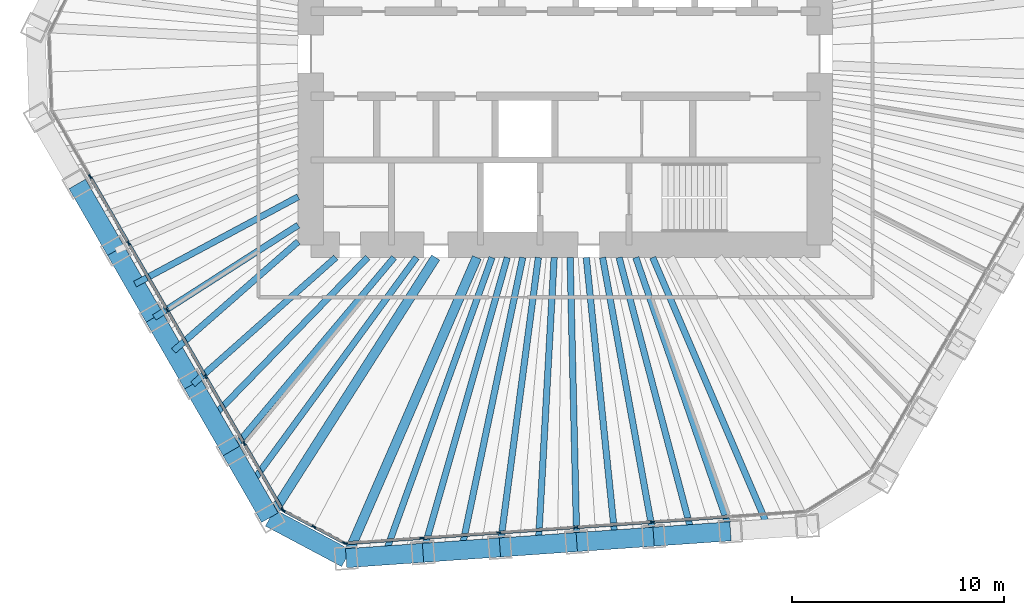
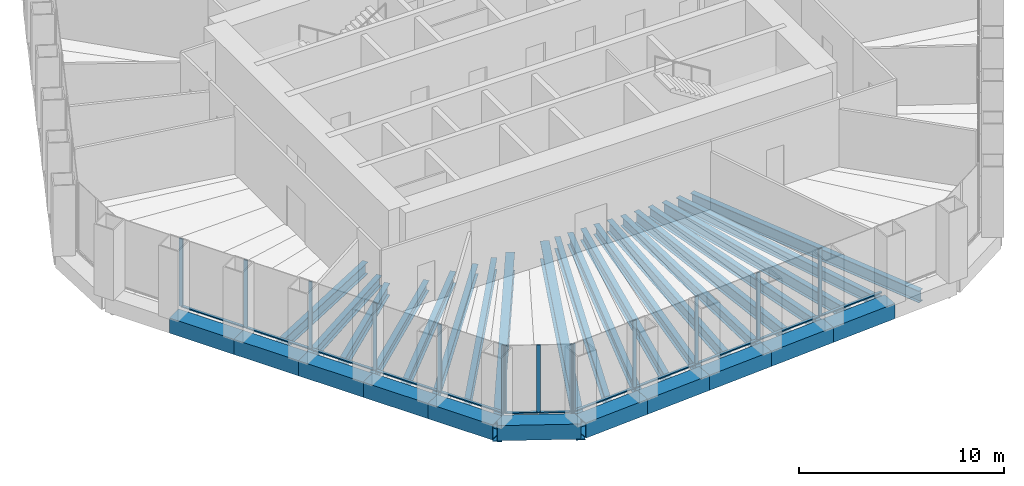
# One storey, part 2 of 13: 31 beams, 26 members, 3 elements without a shape of their own.
"""IFC4 building model written with IfcOpenShell, lengths in metres."""

from ifc_helpers import new_model, si_unit, direction, frame, origin, origin_2d, place, context, subcontext, project, spatial, rectangle, hollow_rectangle, i_section, extrude, material, material_profile, profile_set, type_object, element, aggregate, save


model = new_model("IFC4")

# Units and contexts
model_context = context("Model", 3, precision=1e-05, world=origin(), true_north=direction((0.0, 1.0)))
body_context = subcontext(model_context, "Body", "Model", "MODEL_VIEW")
ifc_project = project(units=[si_unit("LENGTHUNIT", "METRE"), si_unit("AREAUNIT", "SQUARE_METRE"), si_unit("VOLUMEUNIT", "CUBIC_METRE"), si_unit("PLANEANGLEUNIT", "RADIAN"), si_unit("MASSUNIT", "GRAM", prefix="KILO")], contexts=[model_context])

# Site, building, storey
site_placement = place(None, origin())
site = spatial("IfcSite", under=ifc_project, at=site_placement, CompositionType="ELEMENT")
building_placement = place(site_placement, origin())
building = spatial("IfcBuilding", under=site, at=building_placement, Name="Qingtian Harvest Tower", CompositionType="ELEMENT")
storey_placement = place(building_placement, frame((0.0, 0.0, 193.0)))
storey = spatial("IfcBuildingStorey", under=building, at=storey_placement, Name="L41", CompositionType="ELEMENT", Elevation=193.0)

# Beams
ifc_material_1 = material(Name="Steel SM570MC", Category="steel")
ifc_material_profile_1 = material_profile(ifc_material_1, i_section(OverallWidth=0.449951171875, OverallDepth=1.10009765625, WebThickness=0.02197265625, FlangeThickness=0.044921875, at=origin_2d()), Name="H1100x450x22x45")
ifc_profile_set_1 = profile_set([ifc_material_profile_1], Name="Steel SM570MC")
beam_type_1 = type_object("IfcBeamType", Name="Corner floor beam FB8 H1100x450x22x45", PredefinedType="BEAM", material=ifc_profile_set_1)
beam_1_placement = place(storey_placement, frame((-10.33837890625, -23.779052734375, -0.719970703125), z_axis=(0.398714563353, 0.917075077063, 0.0), x_axis=(-0.917075077063, 0.398714563353, 0.0)))
element("IfcBeam", 1, at=beam_1_placement, inside=storey, type_object=beam_type_1, Name="Floor beam FB8 S6", PredefinedType="BEAM", context=body_context, shape_type="SweptSolid", body=[
    extrude(i_section(OverallWidth=0.449951171875, OverallDepth=1.10009765625, WebThickness=0.02197265625, FlangeThickness=0.044921875, at=origin_2d()), origin(), (0.0, 0.0, 1.0), 15.461181640625),
])
beam_2_placement = place(storey_placement, frame((-13.9326171875, -21.8681640625, -0.719970703125), z_axis=(0.537326103898, 0.8433745657, 0.0), x_axis=(-0.8433745657, 0.537326103898, 0.0)))
element("IfcBeam", 2, at=beam_2_placement, inside=storey, type_object=beam_type_1, Name="Floor beam FB8 SW0", PredefinedType="BEAM", context=body_context, shape_type="SweptSolid", body=[
    extrude(i_section(OverallWidth=0.449951171875, OverallDepth=1.10009765625, WebThickness=0.02197265625, FlangeThickness=0.044921875, at=origin_2d()), origin(), (0.0, 0.0, 1.0), 14.54638671875),
])
ifc_material_2 = material(Name="Steel SN490B", Category="steel")
ifc_material_profile_2 = material_profile(ifc_material_2, i_section(OverallWidth=0.300048828125, OverallDepth=0.699951171875, WebThickness=0.012939453125, FlangeThickness=0.02392578125, at=origin_2d()), Name="H700x300x13x24")
ifc_profile_set_2 = profile_set([ifc_material_profile_2], Name="Steel SN490B")
beam_type_2 = type_object("IfcBeamType", Name="Floor beam FB2 H700x300x13x24", PredefinedType="BEAM", material=ifc_profile_set_2)
beam_3_placement = place(storey_placement, frame((-6.713623046875, -23.525634765625, -0.52001953125), z_axis=(0.274411610503, 0.961612327303, 0.0), x_axis=(-0.961612327303, 0.274411610503, 0.0)))
element("IfcBeam", 3, at=beam_3_placement, inside=storey, type_object=beam_type_2, Name="Floor beam FB2 S5", PredefinedType="BEAM", context=body_context, shape_type="SweptSolid", body=[
    extrude(i_section(OverallWidth=0.300048828125, OverallDepth=0.699951171875, WebThickness=0.012939453125, FlangeThickness=0.02392578125, at=origin_2d()), origin(), (0.0, 0.0, 1.0), 14.4814453125),
])
ifc_material_3 = material(Name="Steel SN490B", Category="steel")
ifc_material_profile_3 = material_profile(ifc_material_3, i_section(OverallWidth=0.300048828125, OverallDepth=0.60009765625, WebThickness=0.011962890625, FlangeThickness=0.02001953125, at=origin_2d()), Name="H600x300x12x20")
ifc_profile_set_3 = profile_set([ifc_material_profile_3], Name="Steel SN490B")
beam_type_3 = type_object("IfcBeamType", Name="Floor beam FB3 H600x300x12x20", PredefinedType="BEAM", material=ifc_profile_set_3)
beam_4_placement = place(storey_placement, frame((7.78515625, -22.51171875, -0.469970703125), z_axis=(-0.326844175409, 0.945078242793, 0.0), x_axis=(-0.945078242793, -0.326844175409, 0.0)))
element("IfcBeam", 4, at=beam_4_placement, inside=storey, type_object=beam_type_3, Name="Floor beam FB3 S1", PredefinedType="BEAM", context=body_context, shape_type="SweptSolid", body=[
    extrude(i_section(OverallWidth=0.300048828125, OverallDepth=0.60009765625, WebThickness=0.011962890625, FlangeThickness=0.02001953125, at=origin_2d()), origin(), (0.0, 0.0, 1.0), 13.661865234375),
])
beam_5_placement = place(storey_placement, frame((4.160400390625, -22.76513671875, -0.469970703125), z_axis=(-0.179779537209, 0.983706926885, 0.0), x_axis=(-0.983706926885, -0.179779537209, 0.0)))
element("IfcBeam", 5, at=beam_5_placement, inside=storey, type_object=beam_type_3, Name="Floor beam FB3 S2", PredefinedType="BEAM", context=body_context, shape_type="SweptSolid", body=[
    extrude(i_section(OverallWidth=0.300048828125, OverallDepth=0.60009765625, WebThickness=0.011962890625, FlangeThickness=0.02001953125, at=origin_2d()), origin(), (0.0, 0.0, 1.0), 13.383056640625),
])
beam_6_placement = place(storey_placement, frame((0.53564453125, -23.018798828125, -0.469970703125), z_axis=(-0.023263902078, 0.999729358807, 0.0), x_axis=(-0.999729358807, -0.023263902078, 0.0)))
element("IfcBeam", 6, at=beam_6_placement, inside=storey, type_object=beam_type_3, Name="Floor beam FB3 S3", PredefinedType="BEAM", context=body_context, shape_type="SweptSolid", body=[
    extrude(i_section(OverallWidth=0.300048828125, OverallDepth=0.60009765625, WebThickness=0.011962890625, FlangeThickness=0.02001953125, at=origin_2d()), origin(), (0.0, 0.0, 1.0), 13.42236328125),
])
beam_7_placement = place(storey_placement, frame((-3.089111328125, -23.272216796875, -0.469970703125), z_axis=(0.131593229442, 0.991303799027, 0.0), x_axis=(-0.991303799027, 0.131593229442, 0.0)))
element("IfcBeam", 7, at=beam_7_placement, inside=storey, type_object=beam_type_3, Name="Floor beam FB3 S4", PredefinedType="BEAM", context=body_context, shape_type="SweptSolid", body=[
    extrude(i_section(OverallWidth=0.300048828125, OverallDepth=0.60009765625, WebThickness=0.011962890625, FlangeThickness=0.02001953125, at=origin_2d()), origin(), (0.0, 0.0, 1.0), 13.7919921875),
])
beam_8_placement = place(storey_placement, frame((-15.749267578125, -18.72119140625, -0.469970703125), z_axis=(0.643763532906, 0.765224485821, 0.0), x_axis=(-0.765224485821, 0.643763532906, 0.0)))
element("IfcBeam", 8, at=beam_8_placement, inside=storey, type_object=beam_type_3, Name="Floor beam FB3 SW1", PredefinedType="BEAM", context=body_context, shape_type="SweptSolid", body=[
    extrude(i_section(OverallWidth=0.300048828125, OverallDepth=0.60009765625, WebThickness=0.011962890625, FlangeThickness=0.02001953125, at=origin_2d()), origin(), (0.0, 0.0, 1.0), 11.91943359375),
])
beam_9_placement = place(storey_placement, frame((-17.566162109375, -15.574462890625, -0.469970703125), z_axis=(0.748259768664, 0.663405847577, 0.0), x_axis=(-0.663405847577, 0.748259768664, 0.0)))
element("IfcBeam", 9, at=beam_9_placement, inside=storey, type_object=beam_type_3, Name="Floor beam FB3 SW2", PredefinedType="BEAM", context=body_context, shape_type="SweptSolid", body=[
    extrude(i_section(OverallWidth=0.300048828125, OverallDepth=0.60009765625, WebThickness=0.011962890625, FlangeThickness=0.02001953125, at=origin_2d()), origin(), (0.0, 0.0, 1.0), 9.005615234375),
])
beam_10_placement = place(storey_placement, frame((-19.3828125, -12.427734375, -0.469970703125), z_axis=(0.841823714388, 0.539752567288, 0.0), x_axis=(-0.539752567288, 0.841823714388, 0.0)))
element("IfcBeam", 10, at=beam_10_placement, inside=storey, type_object=beam_type_3, Name="Floor beam FB3 SW3", PredefinedType="BEAM", context=body_context, shape_type="SweptSolid", body=[
    extrude(i_section(OverallWidth=0.300048828125, OverallDepth=0.60009765625, WebThickness=0.011962890625, FlangeThickness=0.02001953125, at=origin_2d()), origin(), (0.0, 0.0, 1.0), 8.05712890625),
])
ifc_material_4 = material(Name="Steel SN490B", Category="steel")
ifc_material_profile_4 = material_profile(ifc_material_4, i_section(OverallWidth=0.300048828125, OverallDepth=0.699951171875, WebThickness=0.012939453125, FlangeThickness=0.02392578125, at=origin_2d()), Name="H700x300x13x24")
ifc_profile_set_4 = profile_set([ifc_material_profile_4], Name="Steel SN490B")
beam_type_4 = type_object("IfcBeamType", Name="Floor joist J2 H700x300x13x24", PredefinedType="JOIST", material=ifc_profile_set_4)
beam_11_placement = place(storey_placement, frame((9.597412109375, -22.385009765625, -0.52001953125), z_axis=(-0.394052741766, 0.919087828614, 0.0), x_axis=(-0.919087828614, -0.394052741766, 0.0)))
element("IfcBeam", 11, at=beam_11_placement, inside=storey, type_object=beam_type_4, Name="Floor joist J2 S0", PredefinedType="JOIST", context=body_context, shape_type="SweptSolid", body=[
    extrude(i_section(OverallWidth=0.300048828125, OverallDepth=0.699951171875, WebThickness=0.012939453125, FlangeThickness=0.02392578125, at=origin_2d()), origin(), (0.0, 0.0, 1.0), 13.910400390625),
])
beam_12_placement = place(storey_placement, frame((5.97265625, -22.638427734375, -0.52001953125), z_axis=(-0.255103716232, 0.9669136952, 0.0), x_axis=(-0.9669136952, -0.255103716232, 0.0)))
element("IfcBeam", 12, at=beam_12_placement, inside=storey, type_object=beam_type_4, Name="Floor joist J2 S1", PredefinedType="JOIST", context=body_context, shape_type="SweptSolid", body=[
    extrude(i_section(OverallWidth=0.300048828125, OverallDepth=0.699951171875, WebThickness=0.012939453125, FlangeThickness=0.02392578125, at=origin_2d()), origin(), (0.0, 0.0, 1.0), 13.484375),
])
beam_13_placement = place(storey_placement, frame((2.347900390625, -22.89208984375, -0.52001953125), z_axis=(-0.102028865499, 0.994781438611, 0.0), x_axis=(-0.994781438611, -0.102028865499, 0.0)))
element("IfcBeam", 13, at=beam_13_placement, inside=storey, type_object=beam_type_4, Name="Floor joist J2 S2", PredefinedType="JOIST", context=body_context, shape_type="SweptSolid", body=[
    extrude(i_section(OverallWidth=0.300048828125, OverallDepth=0.699951171875, WebThickness=0.012939453125, FlangeThickness=0.02392578125, at=origin_2d()), origin(), (0.0, 0.0, 1.0), 13.36181640625),
])
beam_14_placement = place(storey_placement, frame((-1.276611328125, -23.1455078125, -0.52001953125), z_axis=(0.055069329716, 0.998482533109, 0.0), x_axis=(-0.998482533109, 0.055069329716, 0.0)))
element("IfcBeam", 14, at=beam_14_placement, inside=storey, type_object=beam_type_4, Name="Floor joist J2 S3", PredefinedType="JOIST", context=body_context, shape_type="SweptSolid", body=[
    extrude(i_section(OverallWidth=0.300048828125, OverallDepth=0.699951171875, WebThickness=0.012939453125, FlangeThickness=0.02392578125, at=origin_2d()), origin(), (0.0, 0.0, 1.0), 13.56591796875),
])
beam_15_placement = place(storey_placement, frame((-4.9013671875, -23.39892578125, -0.52001953125), z_axis=(0.205016322093, 0.978758554331, 0.0), x_axis=(-0.978758554331, 0.205016322093, 0.0)))
element("IfcBeam", 15, at=beam_15_placement, inside=storey, type_object=beam_type_4, Name="Floor joist J2 S4", PredefinedType="JOIST", context=body_context, shape_type="SweptSolid", body=[
    extrude(i_section(OverallWidth=0.300048828125, OverallDepth=0.699951171875, WebThickness=0.012939453125, FlangeThickness=0.02392578125, at=origin_2d()), origin(), (0.0, 0.0, 1.0), 14.098388671875),
])
beam_16_placement = place(storey_placement, frame((-8.526123046875, -23.65234375, -0.52001953125), z_axis=(0.339126305921, 0.940740850943, 0.0), x_axis=(-0.940740850943, 0.339126305921, 0.0)))
element("IfcBeam", 16, at=beam_16_placement, inside=storey, type_object=beam_type_4, Name="Floor joist J2 S5", PredefinedType="JOIST", context=body_context, shape_type="SweptSolid", body=[
    extrude(i_section(OverallWidth=0.300048828125, OverallDepth=0.699951171875, WebThickness=0.012939453125, FlangeThickness=0.02392578125, at=origin_2d()), origin(), (0.0, 0.0, 1.0), 14.9375),
])
beam_17_placement = place(storey_placement, frame((-14.841064453125, -20.294677734375, -0.52001953125), z_axis=(0.590288677526, 0.807192218238, 0.0), x_axis=(-0.807192218238, 0.590288677526, 0.0)))
element("IfcBeam", 17, at=beam_17_placement, inside=storey, type_object=beam_type_4, Name="Floor joist J2 SW0", PredefinedType="JOIST", context=body_context, shape_type="SweptSolid", body=[
    extrude(i_section(OverallWidth=0.300048828125, OverallDepth=0.699951171875, WebThickness=0.012939453125, FlangeThickness=0.02392578125, at=origin_2d()), origin(), (0.0, 0.0, 1.0), 13.2490234375),
])
beam_18_placement = place(storey_placement, frame((-16.65771484375, -17.14794921875, -0.52001953125), z_axis=(0.696777499009, 0.717287332158, 0.0), x_axis=(-0.717287332158, 0.696777499009, 0.0)))
element("IfcBeam", 18, at=beam_18_placement, inside=storey, type_object=beam_type_4, Name="Floor joist J2 SW1", PredefinedType="JOIST", context=body_context, shape_type="SweptSolid", body=[
    extrude(i_section(OverallWidth=0.300048828125, OverallDepth=0.699951171875, WebThickness=0.012939453125, FlangeThickness=0.02392578125, at=origin_2d()), origin(), (0.0, 0.0, 1.0), 10.522705078125),
])
beam_19_placement = place(storey_placement, frame((-18.474609375, -14.001220703125, -0.52001953125), z_axis=(0.751883296969, 0.659296221542, 0.0), x_axis=(-0.659296221542, 0.751883296969, 0.0)))
element("IfcBeam", 19, at=beam_19_placement, inside=storey, type_object=beam_type_4, Name="Floor joist J2 SW2", PredefinedType="JOIST", context=body_context, shape_type="SweptSolid", body=[
    extrude(i_section(OverallWidth=0.300048828125, OverallDepth=0.699951171875, WebThickness=0.012939453125, FlangeThickness=0.02392578125, at=origin_2d()), origin(), (0.0, 0.0, 1.0), 7.81298828125),
])
beam_20_placement = place(storey_placement, frame((-20.291259765625, -10.8544921875, -0.52001953125), z_axis=(0.881766503154, 0.471686160402, 0.0), x_axis=(-0.471686160402, 0.881766503154, 0.0)))
element("IfcBeam", 20, at=beam_20_placement, inside=storey, type_object=beam_type_4, Name="Floor joist J2 SW3", PredefinedType="JOIST", context=body_context, shape_type="SweptSolid", body=[
    extrude(i_section(OverallWidth=0.300048828125, OverallDepth=0.699951171875, WebThickness=0.012939453125, FlangeThickness=0.02392578125, at=origin_2d()), origin(), (0.0, 0.0, 1.0), 8.722412109375),
])

# Curtain wall, members
ifc_material_5 = material(Name="Bronze-anodised aluminium curtain wall", Category="aluminium")
curtain_wall_type = type_object("IfcCurtainWallType", Name="Curtain wall CW4 office", PredefinedType="USERDEFINED", material=ifc_material_5)
curtain_wall_1_placement = place(storey_placement, origin())
curtain_wall_1 = element("IfcCurtainWall", 21, at=curtain_wall_1_placement, inside=storey, type_object=curtain_wall_type, Name="Curtain wall CW4 L41 S0-5", ObjectType="RECESSED CURTAIN WALL", PredefinedType="USERDEFINED")
ifc_material_6 = material(Name="Bronze-anodised aluminium mullion", Category="aluminium")
ifc_material_profile_5 = material_profile(ifc_material_6, rectangle(XDim=0.06494140625, YDim=0.199951171875, at=origin_2d()), Name="AL 65x200")
ifc_profile_set_5 = profile_set([ifc_material_profile_5], Name="Bronze-anodised aluminium mullion")
member_type_1 = type_object("IfcMemberType", Name="Mullion CWM 65x200", PredefinedType="MULLION", material=ifc_profile_set_5)
member_1_placement = place(storey_placement, frame((4.111572265625, -22.06689453125, 0.0), z_axis=(0.0, 0.0, 1.0), x_axis=(0.069756473744, -0.99756405026, 0.0)))
member_1 = element("IfcMember", 22, at=member_1_placement, type_object=member_type_1, Name="CW4 mullion 3", PredefinedType="MULLION", context=body_context, shape_type="SweptSolid", body=[
    extrude(rectangle(XDim=0.06494140625, YDim=0.199951171875, at=origin_2d()), origin(), (0.0, 0.0, 1.0), 4.030029296875),
])
member_2_placement = place(storey_placement, frame((0.48681640625, -22.3203125, 0.0), z_axis=(0.0, 0.0, 1.0), x_axis=(0.069756473744, -0.99756405026, 0.0)))
member_2 = element("IfcMember", 23, at=member_2_placement, type_object=member_type_1, Name="CW4 mullion 4", PredefinedType="MULLION", context=body_context, shape_type="SweptSolid", body=[
    extrude(rectangle(XDim=0.06494140625, YDim=0.199951171875, at=origin_2d()), origin(), (0.0, 0.0, 1.0), 4.030029296875),
])
member_3_placement = place(storey_placement, frame((-3.137939453125, -22.573974609375, 0.0), z_axis=(0.0, 0.0, 1.0), x_axis=(0.069756473744, -0.99756405026, 0.0)))
member_3 = element("IfcMember", 24, at=member_3_placement, type_object=member_type_1, Name="CW4 mullion 5", PredefinedType="MULLION", context=body_context, shape_type="SweptSolid", body=[
    extrude(rectangle(XDim=0.06494140625, YDim=0.199951171875, at=origin_2d()), origin(), (0.0, 0.0, 1.0), 4.030029296875),
])
member_4_placement = place(storey_placement, frame((-6.762451171875, -22.827392578125, 0.0), z_axis=(0.0, 0.0, 1.0), x_axis=(0.069756473744, -0.99756405026, 0.0)))
member_4 = element("IfcMember", 25, at=member_4_placement, type_object=member_type_1, Name="CW4 mullion 6", PredefinedType="MULLION", context=body_context, shape_type="SweptSolid", body=[
    extrude(rectangle(XDim=0.06494140625, YDim=0.199951171875, at=origin_2d()), origin(), (0.0, 0.0, 1.0), 4.030029296875),
])
member_5_placement = place(storey_placement, frame((-10.354736328125, -23.07861328125, 0.0), z_axis=(0.0, 0.0, 1.0), x_axis=(0.069756473744, -0.99756405026, 0.0)))
member_5 = element("IfcMember", 26, at=member_5_placement, type_object=member_type_1, Name="CW4 mullion 7", PredefinedType="MULLION", context=body_context, shape_type="SweptSolid", body=[
    extrude(rectangle(XDim=0.06494140625, YDim=0.199951171875, at=origin_2d()), origin(), (0.0, 0.0, 1.0), 4.030029296875),
])

curtain_wall_2_placement = place(storey_placement, origin())
curtain_wall_2 = element("IfcCurtainWall", 27, at=curtain_wall_2_placement, inside=storey, type_object=curtain_wall_type, Name="Curtain wall CW4 L41 SC", ObjectType="RECESSED CURTAIN WALL", PredefinedType="USERDEFINED")
member_6_placement = place(storey_placement, frame((-10.416015625, -23.0654296875, 0.0), z_axis=(0.0, 0.0, 1.0), x_axis=(-0.469471562786, -0.882947592859, 0.0)))
member_6 = element("IfcMember", 28, at=member_6_placement, type_object=member_type_1, Name="CW4 mullion 1", PredefinedType="MULLION", context=body_context, shape_type="SweptSolid", body=[
    extrude(rectangle(XDim=0.06494140625, YDim=0.199951171875, at=origin_2d()), origin(), (0.0, 0.0, 1.0), 4.030029296875),
])
member_7_placement = place(storey_placement, frame((-11.85693359375, -22.29931640625, 0.0), z_axis=(0.0, 0.0, 1.0), x_axis=(-0.469471562786, -0.882947592859, 0.0)))
member_7 = element("IfcMember", 29, at=member_7_placement, type_object=member_type_1, Name="CW4 mullion 2", PredefinedType="MULLION", context=body_context, shape_type="SweptSolid", body=[
    extrude(rectangle(XDim=0.06494140625, YDim=0.199951171875, at=origin_2d()), origin(), (0.0, 0.0, 1.0), 4.030029296875),
])
member_8_placement = place(storey_placement, frame((-13.297607421875, -21.533203125, 0.0), z_axis=(0.0, 0.0, 1.0), x_axis=(-0.469471562786, -0.882947592859, 0.0)))
member_8 = element("IfcMember", 30, at=member_8_placement, type_object=member_type_1, Name="CW4 mullion 3", PredefinedType="MULLION", context=body_context, shape_type="SweptSolid", body=[
    extrude(rectangle(XDim=0.06494140625, YDim=0.199951171875, at=origin_2d()), origin(), (0.0, 0.0, 1.0), 4.030029296875),
])

curtain_wall_3_placement = place(storey_placement, origin())
curtain_wall_3 = element("IfcCurtainWall", 31, at=curtain_wall_3_placement, inside=storey, type_object=curtain_wall_type, Name="Curtain wall CW4 L41 SW0-5", ObjectType="RECESSED CURTAIN WALL", PredefinedType="USERDEFINED")
member_9_placement = place(storey_placement, frame((-13.342529296875, -21.489990234375, 0.0), z_axis=(0.0, 0.0, 1.0), x_axis=(-0.866025403784, -0.5, 0.0)))
member_9 = element("IfcMember", 32, at=member_9_placement, type_object=member_type_1, Name="CW4 mullion 1", PredefinedType="MULLION", context=body_context, shape_type="SweptSolid", body=[
    extrude(rectangle(XDim=0.06494140625, YDim=0.199951171875, at=origin_2d()), origin(), (0.0, 0.0, 1.0), 4.030029296875),
])
member_10_placement = place(storey_placement, frame((-15.14306640625, -18.371337890625, 0.0), z_axis=(0.0, 0.0, 1.0), x_axis=(-0.866025403784, -0.5, 0.0)))
member_10 = element("IfcMember", 33, at=member_10_placement, type_object=member_type_1, Name="CW4 mullion 2", PredefinedType="MULLION", context=body_context, shape_type="SweptSolid", body=[
    extrude(rectangle(XDim=0.06494140625, YDim=0.199951171875, at=origin_2d()), origin(), (0.0, 0.0, 1.0), 4.030029296875),
])
member_11_placement = place(storey_placement, frame((-16.9599609375, -15.224609375, 0.0), z_axis=(0.0, 0.0, 1.0), x_axis=(-0.866025403784, -0.5, 0.0)))
member_11 = element("IfcMember", 34, at=member_11_placement, type_object=member_type_1, Name="CW4 mullion 3", PredefinedType="MULLION", context=body_context, shape_type="SweptSolid", body=[
    extrude(rectangle(XDim=0.06494140625, YDim=0.199951171875, at=origin_2d()), origin(), (0.0, 0.0, 1.0), 4.030029296875),
])
member_12_placement = place(storey_placement, frame((-18.776611328125, -12.077880859375, 0.0), z_axis=(0.0, 0.0, 1.0), x_axis=(-0.866025403784, -0.5, 0.0)))
member_12 = element("IfcMember", 35, at=member_12_placement, type_object=member_type_1, Name="CW4 mullion 4", PredefinedType="MULLION", context=body_context, shape_type="SweptSolid", body=[
    extrude(rectangle(XDim=0.06494140625, YDim=0.199951171875, at=origin_2d()), origin(), (0.0, 0.0, 1.0), 4.030029296875),
])
member_13_placement = place(storey_placement, frame((-20.593505859375, -8.93115234375, 0.0), z_axis=(0.0, 0.0, 1.0), x_axis=(-0.866025403784, -0.5, 0.0)))
member_13 = element("IfcMember", 36, at=member_13_placement, type_object=member_type_1, Name="CW4 mullion 5", PredefinedType="MULLION", context=body_context, shape_type="SweptSolid", body=[
    extrude(rectangle(XDim=0.06494140625, YDim=0.199951171875, at=origin_2d()), origin(), (0.0, 0.0, 1.0), 4.030029296875),
])
member_14_placement = place(storey_placement, frame((-22.41015625, -5.784423828125, 0.0), z_axis=(0.0, 0.0, 1.0), x_axis=(-0.866025403784, -0.5, 0.0)))
member_14 = element("IfcMember", 37, at=member_14_placement, type_object=member_type_1, Name="CW4 mullion 6", PredefinedType="MULLION", context=body_context, shape_type="SweptSolid", body=[
    extrude(rectangle(XDim=0.06494140625, YDim=0.199951171875, at=origin_2d()), origin(), (0.0, 0.0, 1.0), 4.030029296875),
])

# Beams
ifc_material_7 = material(Name="Steel SM570MC", Category="steel")
ifc_material_profile_6 = material_profile(ifc_material_7, hollow_rectangle(XDim=0.89990234375, YDim=0.89990234375, WallThickness=0.050048828125, at=origin_2d()), Name="BOX900x900x50")
ifc_profile_set_6 = profile_set([ifc_material_profile_6], Name="Steel SM570MC")
beam_type_5 = type_object("IfcBeamType", Name="Transition spandrel SB6 BOX900x900x50", PredefinedType="SPANDREL", material=ifc_profile_set_6)
for number, where, z_axis, x_axis, name in (
    (38, (7.78515625, -22.51171875, -0.449951171875), (-0.997565001055, -0.069742875402, 0.0), (0.069742875402, -0.997565001055, 0.0), "Spandrel SB6 S1"),
    (39, (4.160400390625, -22.76513671875, -0.449951171875), (-0.997560324246, -0.069809737785, 0.0), (0.069809737785, -0.997560324246, 0.0), "Spandrel SB6 S2"),
    (40, (0.53564453125, -23.018798828125, -0.449951171875), (-0.997565001055, -0.069742875402, 0.0), (0.069742875402, -0.997565001055, 0.0), "Spandrel SB6 S3"),
):
    element("IfcBeam", number, at=place(storey_placement, frame(where, z_axis=z_axis, x_axis=x_axis)), inside=storey, type_object=beam_type_5, Name=name, PredefinedType="SPANDREL", context=body_context, shape_type="SweptSolid", body=[
        extrude(hollow_rectangle(XDim=0.89990234375, YDim=0.89990234375, WallThickness=0.050048828125, at=origin_2d()), origin(), (0.0, 0.0, 1.0), 3.633544921875),
    ])
beam_21_placement = place(storey_placement, frame((-3.089111328125, -23.272216796875, -0.449951171875), z_axis=(-0.997564674207, -0.069747550305, 0.0), x_axis=(0.069747550305, -0.997564674207, 0.0)))
element("IfcBeam", 41, at=beam_21_placement, inside=storey, type_object=beam_type_5, Name="Spandrel SB6 S4", PredefinedType="SPANDREL", context=body_context, shape_type="SweptSolid", body=[
    extrude(hollow_rectangle(XDim=0.89990234375, YDim=0.89990234375, WallThickness=0.050048828125, at=origin_2d()), origin(), (0.0, 0.0, 1.0), 3.63330078125),
])
beam_22_placement = place(storey_placement, frame((-6.713623046875, -23.525634765625, -0.449951171875), z_axis=(-0.997565001055, -0.069742875402, 0.0), x_axis=(0.069742875402, -0.997565001055, 0.0)))
element("IfcBeam", 42, at=beam_22_placement, inside=storey, type_object=beam_type_5, Name="Spandrel SB6 S5", PredefinedType="SPANDREL", context=body_context, shape_type="SweptSolid", body=[
    extrude(hollow_rectangle(XDim=0.89990234375, YDim=0.89990234375, WallThickness=0.050048828125, at=origin_2d()), origin(), (0.0, 0.0, 1.0), 3.633544921875),
])
beam_23_placement = place(storey_placement, frame((-10.33837890625, -23.779052734375, -0.449951171875), z_axis=(-0.882968133669, 0.469432929101, 0.0), x_axis=(-0.469432929101, -0.882968133669, 0.0)))
element("IfcBeam", 43, at=beam_23_placement, inside=storey, type_object=beam_type_5, Name="Spandrel SB6 SC", PredefinedType="SPANDREL", context=body_context, shape_type="SweptSolid", body=[
    extrude(hollow_rectangle(XDim=0.89990234375, YDim=0.89990234375, WallThickness=0.050048828125, at=origin_2d()), origin(), (0.0, 0.0, 1.0), 4.070556640625),
])
beam_24_placement = place(storey_placement, frame((-13.9326171875, -21.8681640625, -0.449951171875), z_axis=(-0.499947341849, 0.866055803848, 0.0), x_axis=(-0.866055803848, -0.499947341849, 0.0)))
element("IfcBeam", 44, at=beam_24_placement, inside=storey, type_object=beam_type_5, Name="Spandrel SB6 SW0", PredefinedType="SPANDREL", context=body_context, shape_type="SweptSolid", body=[
    extrude(hollow_rectangle(XDim=0.89990234375, YDim=0.89990234375, WallThickness=0.050048828125, at=origin_2d()), origin(), (0.0, 0.0, 1.0), 3.6337890625),
])
for number, where, z_axis, x_axis, name in (
    (45, (-15.749267578125, -18.72119140625, -0.449951171875), (-0.500026827678, 0.866009914263, 0.0), (-0.866009914263, -0.500026827678, 0.0), "Spandrel SB6 SW1"),
    (46, (-17.566162109375, -15.574462890625, -0.449951171875), (-0.499976434558, 0.866039008871, 0.0), (-0.866039008871, -0.499976434558, 0.0), "Spandrel SB6 SW2"),
    (47, (-19.3828125, -12.427734375, -0.449951171875), (-0.500026827678, 0.866009914263, 0.0), (-0.866009914263, -0.500026827678, 0.0), "Spandrel SB6 SW3"),
    (48, (-21.19970703125, -9.281005859375, -0.449951171875), (-0.499976434558, 0.866039008871, 0.0), (-0.866039008871, -0.499976434558, 0.0), "Spandrel SB6 SW4"),
):
    element("IfcBeam", number, at=place(storey_placement, frame(where, z_axis=z_axis, x_axis=x_axis)), inside=storey, type_object=beam_type_5, Name=name, PredefinedType="SPANDREL", context=body_context, shape_type="SweptSolid", body=[
        extrude(hollow_rectangle(XDim=0.89990234375, YDim=0.89990234375, WallThickness=0.050048828125, at=origin_2d()), origin(), (0.0, 0.0, 1.0), 3.633544921875),
    ])

# Member
ifc_material_8 = material(Name="Bronze-anodised aluminium transom", Category="aluminium")
ifc_material_profile_7 = material_profile(ifc_material_8, rectangle(XDim=0.14990234375, YDim=0.06494140625, at=origin_2d()), Name="AL 65x150")
ifc_profile_set_7 = profile_set([ifc_material_profile_7], Name="Bronze-anodised aluminium transom")
member_type_2 = type_object("IfcMemberType", Name="Transom CWT 65x150", PredefinedType="USERDEFINED", material=ifc_profile_set_7)
member_15_placement = place(storey_placement, frame((7.703857421875, -21.815673828125, 0.032470703125), z_axis=(-0.997562159126, -0.069783512949, 0.0), x_axis=(0.069783512949, -0.997562159126, 0.0)))
member_15 = element("IfcMember", 49, at=member_15_placement, type_object=member_type_2, Name="CW4 transom 2.1", ObjectType="TRANSOM", PredefinedType="USERDEFINED", context=body_context, shape_type="SweptSolid", body=[
    extrude(rectangle(XDim=0.14990234375, YDim=0.06494140625, at=origin_2d()), origin(), (0.0, 0.0, 1.0), 3.568603515625),
])

member_16_placement = place(storey_placement, frame((4.0791015625, -22.0693359375, 0.032470703125), z_axis=(-0.99756691944, -0.069715430417, 0.0), x_axis=(0.069715430417, -0.99756691944, 0.0)))
member_16 = element("IfcMember", 50, at=member_16_placement, type_object=member_type_2, Name="CW4 transom 3.1", ObjectType="TRANSOM", PredefinedType="USERDEFINED", context=body_context, shape_type="SweptSolid", body=[
    extrude(rectangle(XDim=0.14990234375, YDim=0.06494140625, at=origin_2d()), origin(), (0.0, 0.0, 1.0), 3.568603515625),
])

member_17_placement = place(storey_placement, frame((0.454345703125, -22.32275390625, 0.032470703125), z_axis=(-0.99756691944, -0.069715430417, 0.0), x_axis=(0.069715430417, -0.99756691944, 0.0)))
member_17 = element("IfcMember", 51, at=member_17_placement, type_object=member_type_2, Name="CW4 transom 4.1", ObjectType="TRANSOM", PredefinedType="USERDEFINED", context=body_context, shape_type="SweptSolid", body=[
    extrude(rectangle(XDim=0.14990234375, YDim=0.06494140625, at=origin_2d()), origin(), (0.0, 0.0, 1.0), 3.568603515625),
])

member_18_placement = place(storey_placement, frame((-3.170166015625, -22.576171875, 0.032470703125), z_axis=(-0.997567251922, -0.069710672727, 0.0), x_axis=(0.069710672727, -0.997567251922, 0.0)))
member_18 = element("IfcMember", 52, at=member_18_placement, type_object=member_type_2, Name="CW4 transom 5.1", ObjectType="TRANSOM", PredefinedType="USERDEFINED", context=body_context, shape_type="SweptSolid", body=[
    extrude(rectangle(XDim=0.14990234375, YDim=0.06494140625, at=origin_2d()), origin(), (0.0, 0.0, 1.0), 3.56884765625),
])

member_19_placement = place(storey_placement, frame((-6.794921875, -22.82958984375, 0.032470703125), z_axis=(-0.997565839557, -0.069730880888, 0.0), x_axis=(0.069730880888, -0.997565839557, 0.0)))
member_19 = element("IfcMember", 53, at=member_19_placement, type_object=member_type_2, Name="CW4 transom 6.1", ObjectType="TRANSOM", PredefinedType="USERDEFINED", context=body_context, shape_type="SweptSolid", body=[
    extrude(rectangle(XDim=0.14990234375, YDim=0.06494140625, at=origin_2d()), origin(), (0.0, 0.0, 1.0), 3.5361328125),
])

aggregate(curtain_wall_1, [member_1, member_2, member_3, member_4, member_5, member_15, member_16, member_17, member_18, member_19])

member_20_placement = place(storey_placement, frame((-10.444580078125, -23.05029296875, 0.032470703125), z_axis=(-0.882960338349, 0.46944759122, 0.0), x_axis=(-0.46944759122, -0.882960338349, 0.0)))
member_20 = element("IfcMember", 54, at=member_20_placement, type_object=member_type_2, Name="CW4 transom 1.1", ObjectType="TRANSOM", PredefinedType="USERDEFINED", context=body_context, shape_type="SweptSolid", body=[
    extrude(rectangle(XDim=0.14990234375, YDim=0.06494140625, at=origin_2d()), origin(), (0.0, 0.0, 1.0), 1.56689453125),
])

member_21_placement = place(storey_placement, frame((-11.885498046875, -22.2841796875, 0.032470703125), z_axis=(-0.882960338349, 0.46944759122, 0.0), x_axis=(-0.46944759122, -0.882960338349, 0.0)))
member_21 = element("IfcMember", 55, at=member_21_placement, type_object=member_type_2, Name="CW4 transom 2.1", ObjectType="TRANSOM", PredefinedType="USERDEFINED", context=body_context, shape_type="SweptSolid", body=[
    extrude(rectangle(XDim=0.14990234375, YDim=0.06494140625, at=origin_2d()), origin(), (0.0, 0.0, 1.0), 1.56689453125),
])

aggregate(curtain_wall_2, [member_6, member_7, member_8, member_20, member_21])

member_22_placement = place(storey_placement, frame((-13.35888671875, -21.461669921875, 0.032470703125), z_axis=(-0.500015305566, 0.866016566931, 0.0), x_axis=(-0.866016566931, -0.500015305566, 0.0)))
member_22 = element("IfcMember", 56, at=member_22_placement, type_object=member_type_2, Name="CW4 transom 1.1", ObjectType="TRANSOM", PredefinedType="USERDEFINED", context=body_context, shape_type="SweptSolid", body=[
    extrude(rectangle(XDim=0.14990234375, YDim=0.06494140625, at=origin_2d()), origin(), (0.0, 0.0, 1.0), 3.5361328125),
])

member_23_placement = place(storey_placement, frame((-15.159423828125, -18.34326171875, 0.032470703125), z_axis=(-0.499965259726, 0.866045460162, 0.0), x_axis=(-0.866045460162, -0.499965259726, 0.0)))
member_23 = element("IfcMember", 57, at=member_23_placement, type_object=member_type_2, Name="CW4 transom 2.1", ObjectType="TRANSOM", PredefinedType="USERDEFINED", context=body_context, shape_type="SweptSolid", body=[
    extrude(rectangle(XDim=0.14990234375, YDim=0.06494140625, at=origin_2d()), origin(), (0.0, 0.0, 1.0), 3.568603515625),
])

member_24_placement = place(storey_placement, frame((-16.97607421875, -15.1962890625, 0.032470703125), z_axis=(-0.500046194516, 0.865998731726, 0.0), x_axis=(-0.865998731726, -0.500046194516, 0.0)))
member_24 = element("IfcMember", 58, at=member_24_placement, type_object=member_type_2, Name="CW4 transom 3.1", ObjectType="TRANSOM", PredefinedType="USERDEFINED", context=body_context, shape_type="SweptSolid", body=[
    extrude(rectangle(XDim=0.14990234375, YDim=0.06494140625, at=origin_2d()), origin(), (0.0, 0.0, 1.0), 3.568603515625),
])

member_25_placement = place(storey_placement, frame((-18.79296875, -12.049560546875, 0.032470703125), z_axis=(-0.499994883695, 0.866028357664, 0.0), x_axis=(-0.866028357664, -0.499994883695, 0.0)))
member_25 = element("IfcMember", 59, at=member_25_placement, type_object=member_type_2, Name="CW4 transom 4.1", ObjectType="TRANSOM", PredefinedType="USERDEFINED", context=body_context, shape_type="SweptSolid", body=[
    extrude(rectangle(XDim=0.14990234375, YDim=0.06494140625, at=origin_2d()), origin(), (0.0, 0.0, 1.0), 3.568359375),
])

member_26_placement = place(storey_placement, frame((-20.609619140625, -8.90283203125, 0.032470703125), z_axis=(-0.500046194516, 0.865998731726, 0.0), x_axis=(-0.865998731726, -0.500046194516, 0.0)))
member_26 = element("IfcMember", 60, at=member_26_placement, type_object=member_type_2, Name="CW4 transom 5.1", ObjectType="TRANSOM", PredefinedType="USERDEFINED", context=body_context, shape_type="SweptSolid", body=[
    extrude(rectangle(XDim=0.14990234375, YDim=0.06494140625, at=origin_2d()), origin(), (0.0, 0.0, 1.0), 3.568603515625),
])

aggregate(curtain_wall_3, [member_9, member_10, member_11, member_12, member_13, member_14, member_22, member_23, member_24, member_25, member_26])

save(model, "model.ifc")
